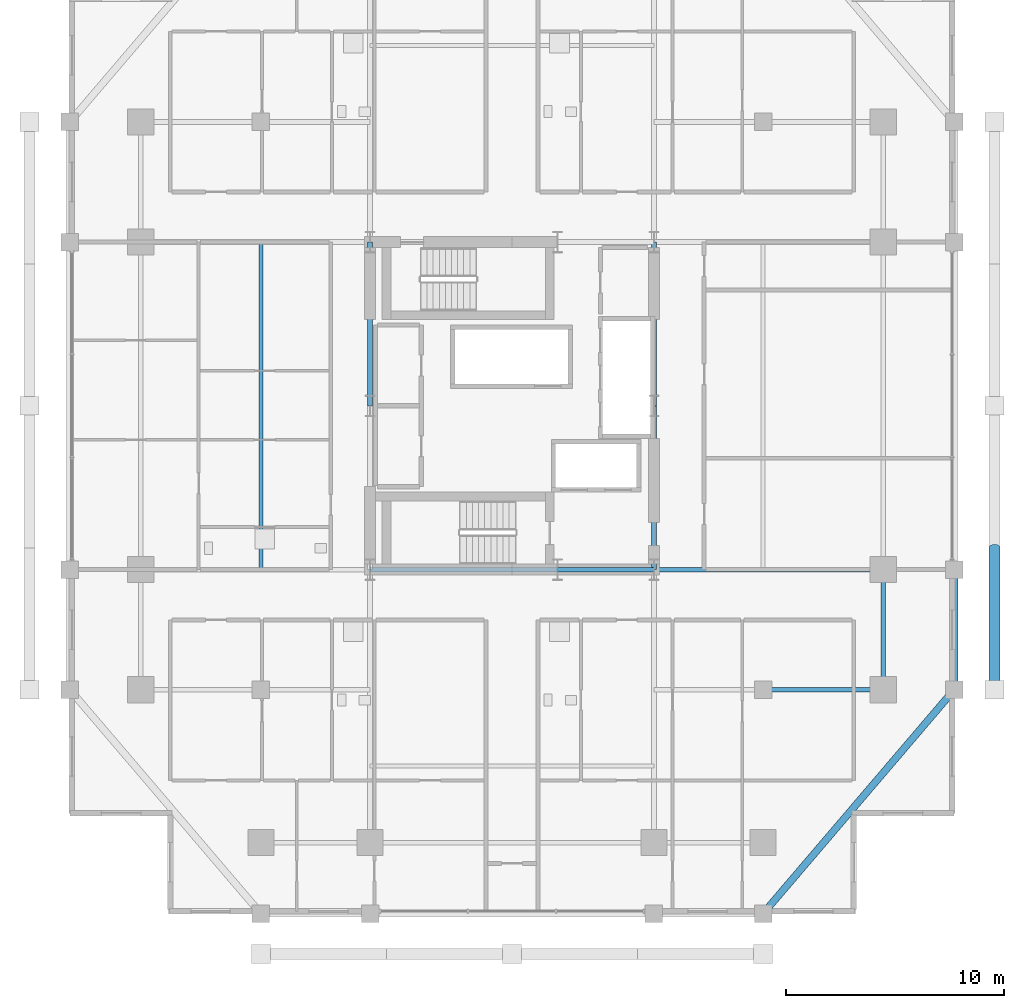
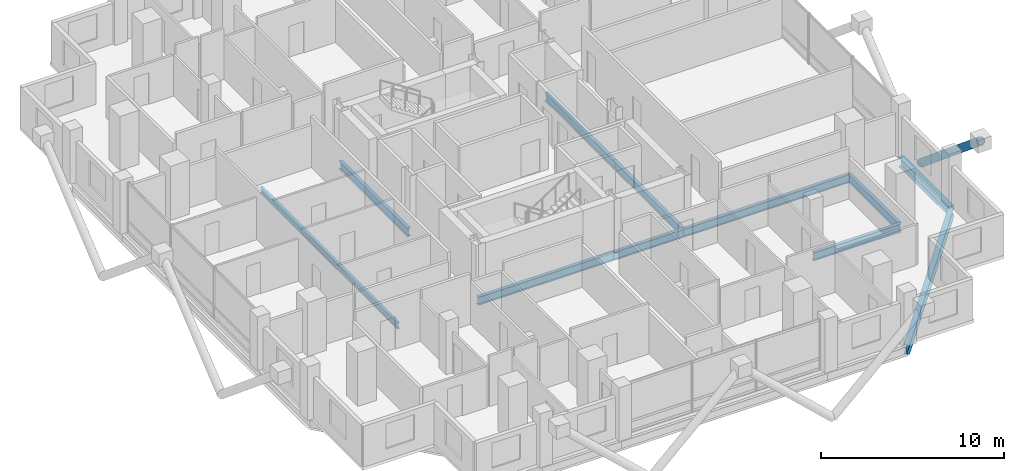
# One storey, part 7 of 23: 11 beams, 1 member.
"""IFC4 building model written with IfcOpenShell, lengths in metres."""

from ifc_helpers import new_model, si_unit, direction, frame, origin, origin_2d, place, context, subcontext, project, spatial, hollow_circle, i_section, extrude, material, material_profile, profile_set, type_object, element, save


model = new_model("IFC4")

# Units and contexts
model_context = context("Model", 3, precision=1e-05, world=origin(), true_north=direction((0.0, 1.0)))
body_context = subcontext(model_context, "Body", "Model", "MODEL_VIEW")
ifc_project = project(units=[si_unit("LENGTHUNIT", "METRE"), si_unit("AREAUNIT", "SQUARE_METRE"), si_unit("VOLUMEUNIT", "CUBIC_METRE"), si_unit("PLANEANGLEUNIT", "RADIAN"), si_unit("MASSUNIT", "GRAM", prefix="KILO")], contexts=[model_context])

# Site, building, storey
site_placement = place(None, origin())
site = spatial("IfcSite", under=ifc_project, at=site_placement, CompositionType="ELEMENT")
building_placement = place(site_placement, origin())
building = spatial("IfcBuilding", under=site, at=building_placement, Name="Barlavira Tower and Art Museum", CompositionType="ELEMENT")
storey_placement = place(building_placement, frame((0.0, 0.0, 140.39990234375)))
storey = spatial("IfcBuildingStorey", under=building, at=storey_placement, Name="L35", CompositionType="ELEMENT", Elevation=140.39990234375)

# Member
ifc_material = material(Name="Steel S355", Category="steel")
ifc_material_profile_1 = material_profile(ifc_material, hollow_circle(Radius=0.25390625, WallThickness=0.022216796875, at=origin_2d()), Name="CHS 508.0x22.2")
ifc_profile_set_1 = profile_set([ifc_material_profile_1], Name="Steel S355")
member_type = type_object("IfcMemberType", Name="Pale-Metal Exoskeleton Diagrid Tube CHS 508x22 Steel S355", PredefinedType="BRACE", material=ifc_profile_set_1)
member_placement = place(storey_placement, frame((22.10009765625, -6.5, -1.919921875), z_axis=(0.0, -0.769196053329, 0.639012857104), x_axis=(1.0, 0.0, 0.0)))
element("IfcMember", 1, at=member_placement, inside=storey, type_object=member_type, Name="L35 Exoskeleton Diagrid Tube E", PredefinedType="BRACE", context=body_context, shape_type="SweptSolid", body=[
    extrude(hollow_circle(Radius=0.25390625, WallThickness=0.022216796875, at=origin_2d()), origin(), (0.0, 0.0, 1.0), 8.450439453125),
])

# Beams
ifc_material_profile_2 = material_profile(ifc_material, i_section(OverallWidth=0.327880859375, OverallDepth=0.62890625, WebThickness=0.013916015625, FlangeThickness=0.021484375, at=origin_2d()), Name="W610x174.0")
ifc_profile_set_2 = profile_set([ifc_material_profile_2], Name="Steel S355")
beam_type_1 = type_object("IfcBeamType", Name="Perimeter Spandrel Edge Beam W610x174 Steel S355", PredefinedType="SPANDREL", material=ifc_profile_set_2)
beam_1_placement = place(storey_placement, frame((11.5, -23.25, -0.534423828125), z_axis=(0.649262379928, 0.760564502202, 0.0), x_axis=(-0.760564502202, 0.649262379928, 0.0)))
element("IfcBeam", 2, at=beam_1_placement, inside=storey, type_object=beam_type_1, Name="L35 Spandrel 4", PredefinedType="SPANDREL", context=body_context, shape_type="SweptSolid", body=[
    extrude(i_section(OverallWidth=0.327880859375, OverallDepth=0.62890625, WebThickness=0.013916015625, FlangeThickness=0.021484375, at=origin_2d()), origin(), (0.0, 0.0, 1.0), 13.476806640625),
])
beam_2_placement = place(storey_placement, frame((20.25, -13.0, -0.534423828125), z_axis=(0.0, 1.0, 0.0), x_axis=(-1.0, 0.0, 0.0)))
element("IfcBeam", 3, at=beam_2_placement, inside=storey, type_object=beam_type_1, Name="L35 Spandrel 5", PredefinedType="SPANDREL", context=body_context, shape_type="SweptSolid", body=[
    extrude(i_section(OverallWidth=0.327880859375, OverallDepth=0.62890625, WebThickness=0.013916015625, FlangeThickness=0.021484375, at=origin_2d()), origin(), (0.0, 0.0, 1.0), 5.5),
])
ifc_material_profile_3 = material_profile(ifc_material, i_section(OverallWidth=0.214111328125, OverallDepth=0.549072265625, WebThickness=0.0146484375, FlangeThickness=0.023681640625, at=origin_2d()), Name="W530x138.0")
ifc_profile_set_3 = profile_set([ifc_material_profile_3], Name="Steel S355")
beam_type_2 = type_object("IfcBeamType", Name="Zone 1 Primary Floor Girder W530x138 Steel S355", PredefinedType="BEAM", material=ifc_profile_set_3)
beam_3_placement = place(storey_placement, frame((-6.5, -7.5, -0.494384765625), z_axis=(1.0, 0.0, 0.0), x_axis=(0.0, 1.0, 0.0)))
element("IfcBeam", 4, at=beam_3_placement, inside=storey, type_object=beam_type_2, Name="L35 Girder C-S1", PredefinedType="BEAM", context=body_context, shape_type="SweptSolid", body=[
    extrude(i_section(OverallWidth=0.214111328125, OverallDepth=0.549072265625, WebThickness=0.0146484375, FlangeThickness=0.023681640625, at=origin_2d()), origin(), (0.0, 0.0, 1.0), 8.580078125),
])
beam_4_placement = place(storey_placement, frame((2.080078125, -7.5, -0.494384765625), z_axis=(1.0, 0.0, 0.0), x_axis=(0.0, 1.0, 0.0)))
element("IfcBeam", 5, at=beam_4_placement, inside=storey, type_object=beam_type_2, Name="L35 Girder C-S2", PredefinedType="BEAM", context=body_context, shape_type="SweptSolid", body=[
    extrude(i_section(OverallWidth=0.214111328125, OverallDepth=0.549072265625, WebThickness=0.0146484375, FlangeThickness=0.023681640625, at=origin_2d()), origin(), (0.0, 0.0, 1.0), 4.419921875),
])
for number, where, z_axis, x_axis, name in (
    (6, (-6.5, 0.0, -0.494384765625), (0.0, 1.0, 0.0), (-1.0, 0.0, 0.0), "L35 Girder C-W2"),
    (7, (6.5, -7.5, -0.494384765625), (0.0, 1.0, 0.0), (-1.0, 0.0, 0.0), "L35 Girder C-E1"),
    (8, (6.5, 0.0, -0.494384765625), (0.0, 1.0, 0.0), (-1.0, 0.0, 0.0), "L35 Girder C-E2"),
):
    element("IfcBeam", number, at=place(storey_placement, frame(where, z_axis=z_axis, x_axis=x_axis)), inside=storey, type_object=beam_type_2, Name=name, PredefinedType="BEAM", context=body_context, shape_type="SweptSolid", body=[
        extrude(i_section(OverallWidth=0.214111328125, OverallDepth=0.549072265625, WebThickness=0.0146484375, FlangeThickness=0.023681640625, at=origin_2d()), origin(), (0.0, 0.0, 1.0), 7.5),
    ])
beam_5_placement = place(storey_placement, frame((17.0, -13.0, -0.494384765625), z_axis=(0.0, 1.0, 0.0), x_axis=(-1.0, 0.0, 0.0)))
element("IfcBeam", 9, at=beam_5_placement, inside=storey, type_object=beam_type_2, Name="L35 Girder M-E1", PredefinedType="BEAM", context=body_context, shape_type="SweptSolid", body=[
    extrude(i_section(OverallWidth=0.214111328125, OverallDepth=0.549072265625, WebThickness=0.0146484375, FlangeThickness=0.023681640625, at=origin_2d()), origin(), (0.0, 0.0, 1.0), 5.5),
])
beam_6_placement = place(storey_placement, frame((6.5, -7.5, -0.494384765625), z_axis=(1.0, 0.0, 0.0), x_axis=(0.0, 1.0, 0.0)))
element("IfcBeam", 10, at=beam_6_placement, inside=storey, type_object=beam_type_2, Name="L35 Girder R-E1", PredefinedType="BEAM", context=body_context, shape_type="SweptSolid", body=[
    extrude(i_section(OverallWidth=0.214111328125, OverallDepth=0.549072265625, WebThickness=0.0146484375, FlangeThickness=0.023681640625, at=origin_2d()), origin(), (0.0, 0.0, 1.0), 10.5),
])
beam_7_placement = place(storey_placement, frame((11.5, -13.0, -0.494384765625), z_axis=(1.0, 0.0, 0.0), x_axis=(0.0, 1.0, 0.0)))
element("IfcBeam", 11, at=beam_7_placement, inside=storey, type_object=beam_type_2, Name="L35 Girder I-S4", PredefinedType="BEAM", context=body_context, shape_type="SweptSolid", body=[
    extrude(i_section(OverallWidth=0.214111328125, OverallDepth=0.549072265625, WebThickness=0.0146484375, FlangeThickness=0.023681640625, at=origin_2d()), origin(), (0.0, 0.0, 1.0), 5.5),
])
ifc_material_profile_4 = material_profile(ifc_material, i_section(OverallWidth=0.179931640625, OverallDepth=0.4130859375, WebThickness=0.009765625, FlangeThickness=0.01611328125, at=origin_2d()), Name="W410x75.0")
ifc_profile_set_4 = profile_set([ifc_material_profile_4], Name="Steel S355")
beam_type_3 = type_object("IfcBeamType", Name="Zone 2 Composite Floor Joist W410x75 Steel S355", PredefinedType="JOIST", material=ifc_profile_set_4)
beam_8_placement = place(storey_placement, frame((-11.5, -7.5, -0.426513671875), z_axis=(0.0, 1.0, 0.0), x_axis=(-1.0, 0.0, 0.0)))
element("IfcBeam", 12, at=beam_8_placement, inside=storey, type_object=beam_type_3, Name="L35 Joist W1", PredefinedType="JOIST", context=body_context, shape_type="SweptSolid", body=[
    extrude(i_section(OverallWidth=0.179931640625, OverallDepth=0.4130859375, WebThickness=0.009765625, FlangeThickness=0.01611328125, at=origin_2d()), origin(), (0.0, 0.0, 1.0), 15.0),
])

save(model, "model.ifc")
